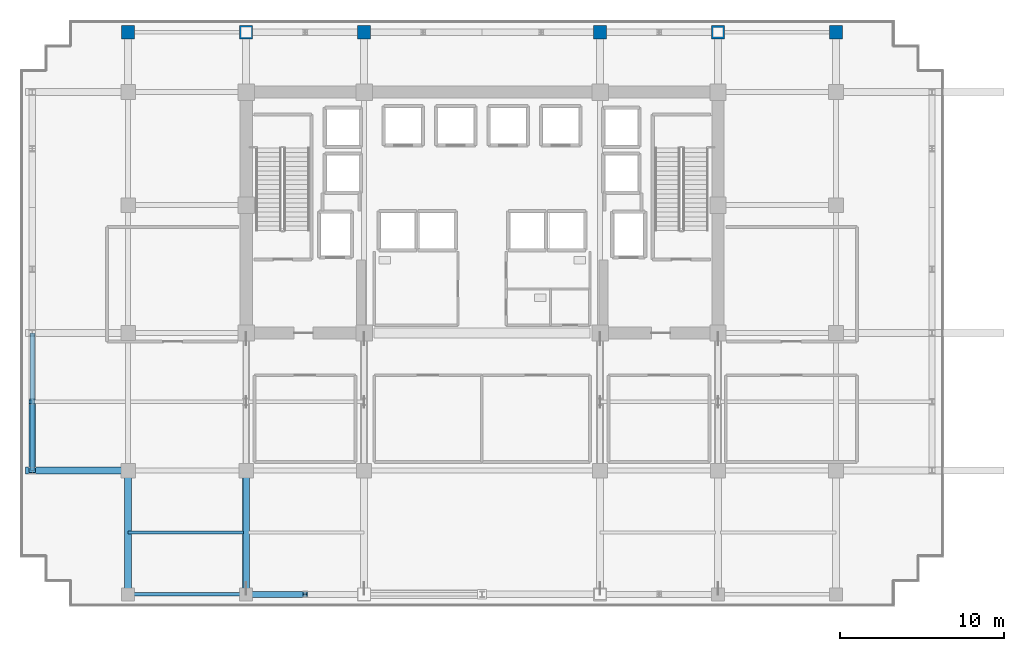
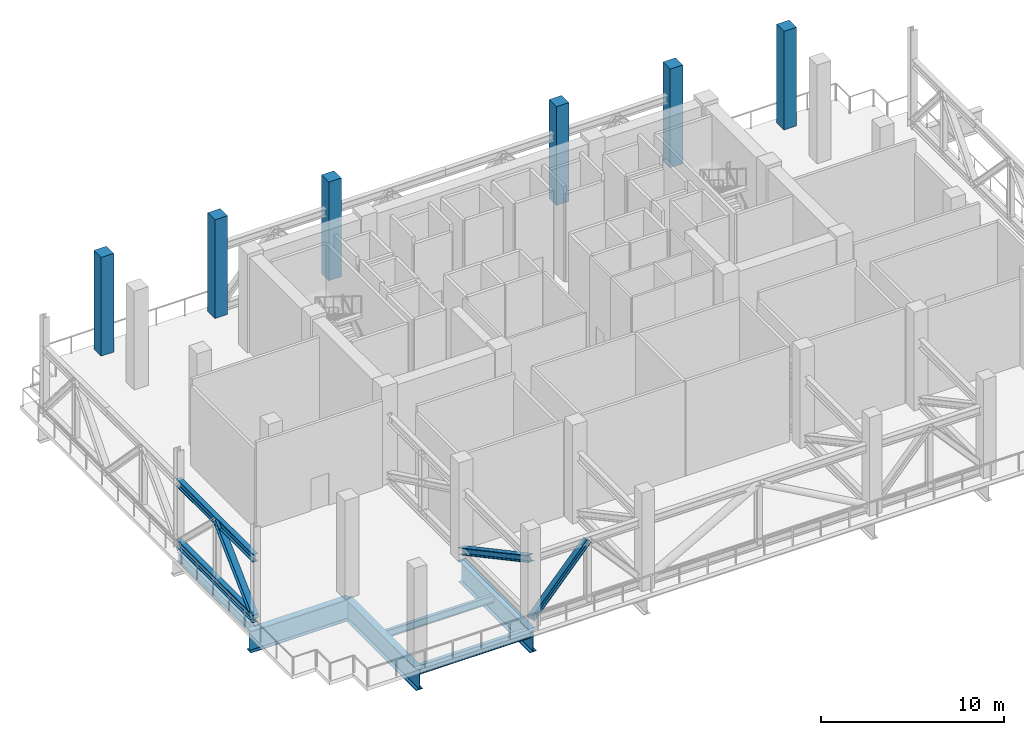
# One storey, part 2 of 15: 6 beams, 6 columns, 5 members.
"""IFC4 building model written with IfcOpenShell, lengths in metres."""

from ifc_helpers import new_model, si_unit, direction, frame, origin, origin_2d, place, context, subcontext, project, spatial, rectangle, i_section, extrude, source, transform, mapped, material, material_profile, profile_set, type_object, element, save


model = new_model("IFC4")

# Units and contexts
model_context = context("Model", 3, precision=1e-05, world=origin(), true_north=direction((0.0, 1.0)))
body_context = subcontext(model_context, "Body", "Model", "MODEL_VIEW")
ifc_project = project(units=[si_unit("LENGTHUNIT", "METRE"), si_unit("AREAUNIT", "SQUARE_METRE"), si_unit("VOLUMEUNIT", "CUBIC_METRE"), si_unit("PLANEANGLEUNIT", "RADIAN"), si_unit("MASSUNIT", "GRAM", prefix="KILO")], contexts=[model_context])

# Site, building, storey
site_placement = place(None, origin())
site = spatial("IfcSite", under=ifc_project, at=site_placement, CompositionType="ELEMENT")
building_placement = place(site_placement, origin())
building = spatial("IfcBuilding", under=site, at=building_placement, Name="Zarnakvel Exchange Tower", CompositionType="ELEMENT")
storey_placement = place(building_placement, frame((0.0, 0.0, 80.199951171875)))
storey = spatial("IfcBuildingStorey", under=building, at=storey_placement, Name="L22", CompositionType="ELEMENT", Elevation=80.199951171875)

# Columns
ifc_material_1 = material(Name="Concrete C60/75", Category="concrete")
ifc_material_profile_1 = material_profile(ifc_material_1, rectangle(XDim=0.800048828125, YDim=0.800048828125, at=origin_2d()))
ifc_profile_set_1 = profile_set([ifc_material_profile_1], Name="Concrete C60/75")
column_type = type_object("IfcColumnType", Name="TC-03", PredefinedType="COLUMN", material=ifc_profile_set_1)
for number, where, z_axis, x_axis, name in (
    (1, (-14.39990234375, 17.14990234375, 0.0), (0.0, 0.0, 1.0), (1.0, 0.0, 0.0), "L22 Column TN-4 (TC-03)"),
    (2, (-7.199951171875, 17.14990234375, 0.0), (0.0, 0.0, 1.0), (1.0, 0.0, 0.0), "L22 Column TN-5 (TC-03)"),
    (3, (7.199951171875, 17.14990234375, 0.0), (0.0, 0.0, 1.0), (1.0, 0.0, 0.0), "L22 Column TN-8 (TC-03)"),
    (4, (14.39990234375, 17.14990234375, 0.0), (0.0, 0.0, 1.0), (1.0, 0.0, 0.0), "L22 Column TN-9 (TC-03)"),
    (5, (-21.60009765625, 17.14990234375, 0.0), (0.0, 0.0, 1.0), (1.0, 0.0, 0.0), "L22 Column TN-3 (TC-03)"),
    (6, (21.60009765625, 17.14990234375, 0.0), (0.0, 0.0, 1.0), (1.0, 0.0, 0.0), "L22 Column TN-10 (TC-03)"),
):
    element("IfcColumn", number, at=place(storey_placement, frame(where, z_axis=z_axis, x_axis=x_axis)), inside=storey, type_object=column_type, Name=name, PredefinedType="COLUMN", context=body_context, shape_type="SweptSolid", body=[
        extrude(rectangle(XDim=0.800048828125, YDim=0.800048828125, at=origin_2d()), origin(), (0.0, 0.0, 1.0), 6.60009765625),
    ])

# Beams
ifc_material_2 = material(Name="Steel S355", Category="steel")
ifc_material_profile_2 = material_profile(ifc_material_2, i_section(OverallWidth=0.199951171875, OverallDepth=0.5, WebThickness=0.01025390625, FlangeThickness=0.01611328125, FilletRadius=0.02099609375, at=origin_2d()))
ifc_profile_set_2 = profile_set([ifc_material_profile_2], Name="Steel S355")
beam_type_1 = type_object("IfcBeamType", Name="B-04", PredefinedType="JOIST", material=ifc_profile_set_2)
beam_1_placement = place(storey_placement, frame((-21.60009765625, -13.375, -0.5), z_axis=(1.0, 0.0, 0.0), x_axis=(0.0, 1.0, 0.0)))
element("IfcBeam", 7, at=beam_1_placement, inside=storey, type_object=beam_type_1, Name="L22 Composite Floor Secondary Joist", PredefinedType="JOIST", context=body_context, shape_type="SweptSolid", body=[
    extrude(i_section(OverallWidth=0.199951171875, OverallDepth=0.5, WebThickness=0.01025390625, FlangeThickness=0.01611328125, FilletRadius=0.02099609375, at=origin_2d()), origin(), (0.0, 0.0, 1.0), 7.045166015625),
])
ifc_material_profile_3 = material_profile(ifc_material_2, i_section(OverallWidth=0.219970703125, OverallDepth=0.60009765625, WebThickness=0.011962890625, FlangeThickness=0.01904296875, FilletRadius=0.02392578125, at=origin_2d()))
ifc_profile_set_3 = profile_set([ifc_material_profile_3], Name="Steel S355")
beam_type_2 = type_object("IfcBeamType", Name="SP-01", PredefinedType="SPANDREL", material=ifc_profile_set_3)
beam_2_placement = place(storey_placement, frame((-21.60009765625, -17.14990234375, -0.550048828125), z_axis=(1.0, 0.0, 0.0), x_axis=(0.0, 1.0, 0.0)))
element("IfcBeam", 8, at=beam_2_placement, inside=storey, type_object=beam_type_2, Name="L22 Tower E-W Frame Beam", PredefinedType="SPANDREL", context=body_context, shape_type="SweptSolid", body=[
    extrude(i_section(OverallWidth=0.219970703125, OverallDepth=0.60009765625, WebThickness=0.011962890625, FlangeThickness=0.01904296875, FilletRadius=0.02392578125, at=origin_2d()), origin(), (0.0, 0.0, 1.0), 7.2001953125),
])
beam_3_placement = place(storey_placement, frame((-27.449951171875, -9.60009765625, -0.550048828125), z_axis=(0.0, 1.0, 0.0), x_axis=(-1.0, 0.0, 0.0)))
element("IfcBeam", 9, at=beam_3_placement, inside=storey, type_object=beam_type_2, Name="L22 Tower N-S Frame Beam", PredefinedType="SPANDREL", context=body_context, shape_type="SweptSolid", body=[
    extrude(i_section(OverallWidth=0.219970703125, OverallDepth=0.60009765625, WebThickness=0.011962890625, FlangeThickness=0.01904296875, FilletRadius=0.02392578125, at=origin_2d()), origin(), (0.0, 0.0, 1.0), 8.400146484375),
])
ifc_material_3 = material(Name="Steel S460", Category="steel")
ifc_material_profile_4 = material_profile(ifc_material_3, i_section(OverallWidth=0.419921875, OverallDepth=1.449951171875, WebThickness=0.02392578125, FlangeThickness=0.0400390625, FilletRadius=0.030029296875, at=origin_2d()))
ifc_profile_set_4 = profile_set([ifc_material_profile_4], Name="Steel S460")
beam_type_3 = type_object("IfcBeamType", Name="TG-01", PredefinedType="BEAM", material=ifc_profile_set_4)
for number, where, z_axis, x_axis, name in (
    (10, (-14.39990234375, -17.449951171875, -0.974853515625), (0.0, 1.0, 0.0), (-1.0, 0.0, 0.0), "L22 Setback N-S Transfer Girder TS-4"),
    (11, (-21.60009765625, -17.449951171875, -0.974853515625), (0.0, 1.0, 0.0), (-1.0, 0.0, 0.0), "L22 Setback N-S Transfer Girder TS-3"),
):
    element("IfcBeam", number, at=place(storey_placement, frame(where, z_axis=z_axis, x_axis=x_axis)), inside=storey, type_object=beam_type_3, Name=name, PredefinedType="BEAM", context=body_context, shape_type="SweptSolid", body=[
        extrude(i_section(OverallWidth=0.419921875, OverallDepth=1.449951171875, WebThickness=0.02392578125, FlangeThickness=0.0400390625, FilletRadius=0.030029296875, at=origin_2d()), origin(), (0.0, 0.0, 1.0), 7.849853515625),
    ])
beam_4_placement = place(storey_placement, frame((-27.85009765625, -9.60009765625, -0.974853515625), z_axis=(1.0, 0.0, 0.0), x_axis=(0.0, 1.0, 0.0)))
element("IfcBeam", 12, at=beam_4_placement, inside=storey, type_object=beam_type_3, Name="L22 Setback E-W Transfer Girder TW-C", PredefinedType="BEAM", context=body_context, shape_type="SweptSolid", body=[
    extrude(i_section(OverallWidth=0.419921875, OverallDepth=1.449951171875, WebThickness=0.02392578125, FlangeThickness=0.0400390625, FilletRadius=0.030029296875, at=origin_2d()), origin(), (0.0, 0.0, 1.0), 6.25),
])

# Members
ifc_material_profile_5 = material_profile(ifc_material_3, i_section(OverallWidth=0.412109375, OverallDepth=0.425048828125, WebThickness=0.02587890625, FlangeThickness=0.0390625, FilletRadius=0.014892578125, at=origin_2d()))
ifc_profile_set_5 = profile_set([ifc_material_profile_5], Name="Steel S460")
member_type_1 = type_object("IfcMemberType", Name="OT-01", PredefinedType="BRACE", material=ifc_profile_set_5)
shared_shape_1 = source(origin(), body_context, "Body", "SweptSolid", [
    extrude(i_section(OverallWidth=0.412109375, OverallDepth=0.425048828125, WebThickness=0.02587890625, FlangeThickness=0.0390625, FilletRadius=0.014892578125, at=origin_2d()), origin(), (0.0, 0.0, 1.0), 8.567626953125),
])
member_1_placement = place(storey_placement, frame((-14.39990234375, -9.60009765625, 0.35009765625), z_axis=(0.0, -0.881212095321, 0.472721104944), x_axis=(1.0, 0.0, 0.0)))
element("IfcMember", 13, at=member_1_placement, inside=storey, type_object=member_type_1, Name="L22 Outrigger Outer Diagonal 2 Grid 4", PredefinedType="BRACE", context=body_context, shape_type="MappedRepresentation", body=[
    mapped(shared_shape_1, transform((0.0, 0.0, 0.0), x_axis=(1.0, 0.0, 0.0), y_axis=(0.0, 1.0, 0.0), z_axis=(0.0, 0.0, 1.0), scale=1.0)),
])
ifc_material_profile_6 = material_profile(ifc_material_2, i_section(OverallWidth=0.3740234375, OverallDepth=0.364013671875, WebThickness=0.01806640625, FlangeThickness=0.027587890625, FilletRadius=0.014892578125, at=origin_2d()))
ifc_profile_set_6 = profile_set([ifc_material_profile_6], Name="Steel S355")
member_type_2 = type_object("IfcMemberType", Name="BT-01", PredefinedType="BRACE", material=ifc_profile_set_6)
shared_shape_2 = source(origin(), body_context, "Body", "SweptSolid", [
    extrude(i_section(OverallWidth=0.3740234375, OverallDepth=0.364013671875, WebThickness=0.01806640625, FlangeThickness=0.027587890625, FilletRadius=0.014892578125, at=origin_2d()), origin(), (0.0, 0.0, 1.0), 5.418701171875),
])
member_2_placement = place(storey_placement, frame((-14.39990234375, -17.14990234375, 0.35009765625), z_axis=(0.664344262737, 0.0, 0.747426719196), x_axis=(0.0, 1.0, 0.0)))
element("IfcMember", 14, at=member_2_placement, inside=storey, type_object=member_type_2, Name="L22 Belt Truss Chevron Left S-W1", PredefinedType="BRACE", context=body_context, shape_type="MappedRepresentation", body=[
    mapped(shared_shape_2, transform((0.0, 0.0, 0.0), x_axis=(1.0, 0.0, 0.0), y_axis=(0.0, 1.0, 0.0), z_axis=(0.0, 0.0, 1.0), scale=1.0)),
])
ifc_material_profile_7 = material_profile(ifc_material_2, i_section(OverallWidth=0.305908203125, OverallDepth=0.52392578125, WebThickness=0.02099609375, FlangeThickness=0.0400390625, FilletRadius=0.027099609375, at=origin_2d()))
ifc_profile_set_7 = profile_set([ifc_material_profile_7], Name="Steel S355")
member_type_3 = type_object("IfcMemberType", Name="BT-02", PredefinedType="CHORD", material=ifc_profile_set_7)
shared_shape_3 = source(origin(), body_context, "Body", "SweptSolid", [
    extrude(i_section(OverallWidth=0.305908203125, OverallDepth=0.52392578125, WebThickness=0.02099609375, FlangeThickness=0.0400390625, FilletRadius=0.027099609375, at=origin_2d()), origin(), (0.0, 0.0, 1.0), 8.400146484375),
])
for number, where, z_axis, x_axis, name in (
    (15, (-27.449951171875, -9.60009765625, 0.35009765625), (0.0, 1.0, 0.0), (-1.0, 0.0, 0.0), "L22 Belt Truss Bottom Chord W-1"),
    (16, (-27.449951171875, -9.60009765625, 4.400146484375), (0.0, 1.0, 0.0), (-1.0, 0.0, 0.0), "L22 Belt Truss Top Chord W-1"),
):
    element("IfcMember", number, at=place(storey_placement, frame(where, z_axis=z_axis, x_axis=x_axis)), inside=storey, type_object=member_type_3, Name=name, PredefinedType="CHORD", context=body_context, shape_type="MappedRepresentation", body=[
        mapped(shared_shape_3, transform((0.0, 0.0, 0.0), x_axis=(1.0, 0.0, 0.0), y_axis=(0.0, 1.0, 0.0), z_axis=(0.0, 0.0, 1.0), scale=1.0)),
    ])
shared_shape_4 = source(origin(), body_context, "Body", "SweptSolid", [
    extrude(i_section(OverallWidth=0.3740234375, OverallDepth=0.364013671875, WebThickness=0.01806640625, FlangeThickness=0.027587890625, FilletRadius=0.014892578125, at=origin_2d()), origin(), (0.0, 0.0, 1.0), 5.834716796875),
])
member_3_placement = place(storey_placement, frame((-27.449951171875, -9.60009765625, 0.35009765625), z_axis=(0.0, 0.719856242377, 0.694123180934), x_axis=(-1.0, 0.0, 0.0)))
element("IfcMember", 17, at=member_3_placement, inside=storey, type_object=member_type_2, Name="L22 Belt Truss Chevron Left W-1", PredefinedType="BRACE", context=body_context, shape_type="MappedRepresentation", body=[
    mapped(shared_shape_4, transform((0.0, 0.0, 0.0), x_axis=(1.0, 0.0, 0.0), y_axis=(0.0, 1.0, 0.0), z_axis=(0.0, 0.0, 1.0), scale=1.0)),
])

save(model, "model.ifc")
